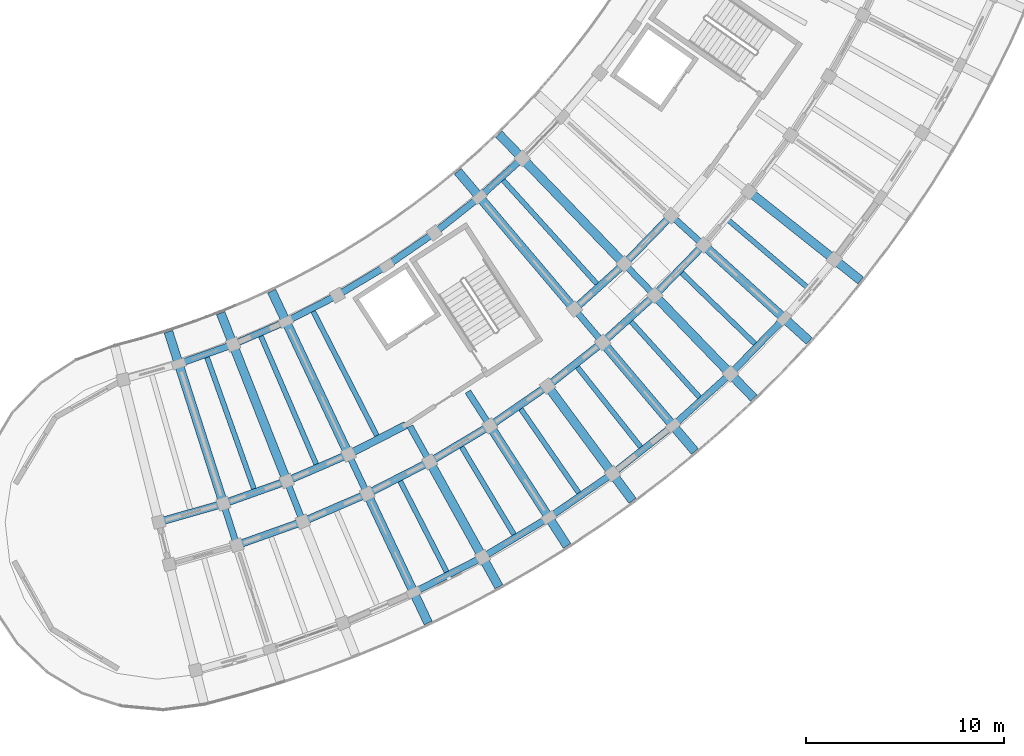
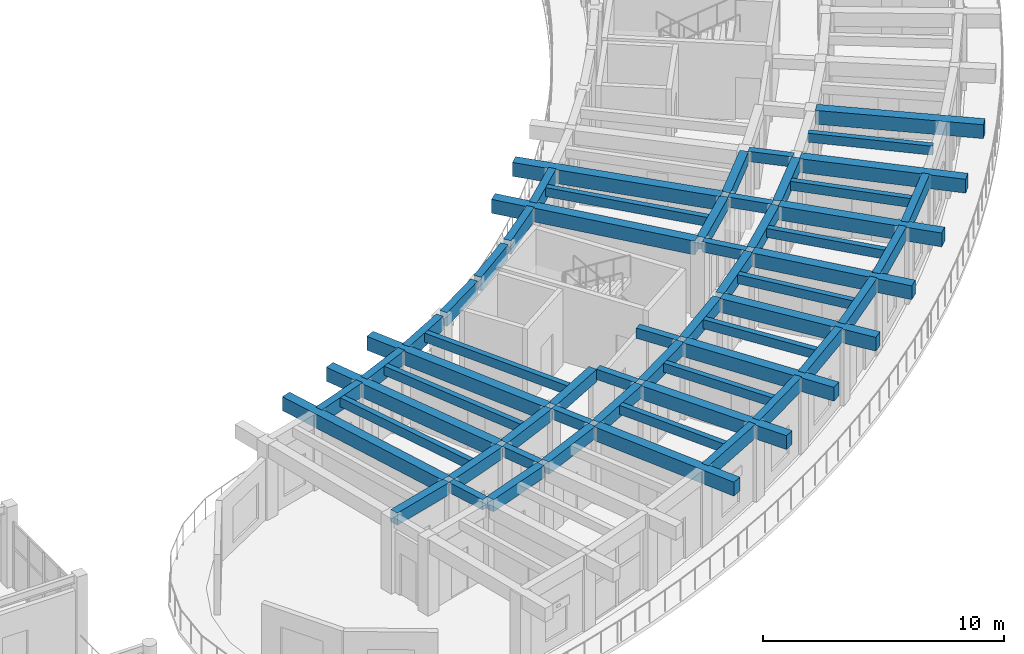
# One storey, part 56 of 128: 59 beams.
"""IFC4 building model written with IfcOpenShell, lengths in metres."""

from ifc_helpers import new_model, si_unit, direction, frame, origin, origin_2d, place, context, subcontext, project, spatial, rectangle, extrude, material, material_profile, profile_set, type_object, element, save


model = new_model("IFC4")

# Units and contexts
model_context = context("Model", 3, precision=1e-05, world=origin(), true_north=direction((0.0, 1.0)))
body_context = subcontext(model_context, "Body", "Model", "MODEL_VIEW")
ifc_project = project(units=[si_unit("LENGTHUNIT", "METRE"), si_unit("AREAUNIT", "SQUARE_METRE"), si_unit("VOLUMEUNIT", "CUBIC_METRE"), si_unit("PLANEANGLEUNIT", "RADIAN"), si_unit("MASSUNIT", "GRAM", prefix="KILO")], contexts=[model_context])

# Site, building, storey
site_placement = place(None, origin())
site = spatial("IfcSite", under=ifc_project, at=site_placement, CompositionType="ELEMENT")
building_placement = place(site_placement, origin())
building = spatial("IfcBuilding", under=site, at=building_placement, Name="Tanwirah Colonnade Gardens", CompositionType="ELEMENT")
storey_placement = place(building_placement, frame((0.0, 0.0, 4.760009765625)))
storey = spatial("IfcBuildingStorey", under=building, at=storey_placement, Name="L01", CompositionType="ELEMENT", Elevation=4.760009765625)

# Beams
ifc_material_1 = material(Name="Precast concrete C40/50", Category="concrete")
ifc_material_profile_1 = material_profile(ifc_material_1, rectangle(XDim=0.320068359375, YDim=0.52001953125, at=origin_2d()), Name="PC-BM 320x520")
ifc_profile_set_1 = profile_set([ifc_material_profile_1], Name="Precast concrete C40/50")
beam_type_1 = type_object("IfcBeamType", Name="BM-PC320", PredefinedType="BEAM", material=ifc_profile_set_1)
beam_1_placement = place(storey_placement, frame((136.85302734375, 14.975341796875, 3.56494140625), z_axis=(0.304794376797, -0.952418179096, 0.0), x_axis=(0.952418179096, 0.304794376797, 0.0)))
element("IfcBeam", 1, at=beam_1_placement, inside=storey, type_object=beam_type_1, Name="Block D L01 Corridor Tie Beam 1", PredefinedType="BEAM", context=body_context, shape_type="SweptSolid", body=[
    extrude(rectangle(XDim=0.320068359375, YDim=0.52001953125, at=origin_2d()), origin(), (0.0, 0.0, 1.0), 1.89990234375),
])
beam_2_placement = place(storey_placement, frame((140.05810546875, 16.1181640625, 3.56494140625), z_axis=(0.366511033969, -0.930413704746, 0.0), x_axis=(0.930413704746, 0.366511033969, 0.0)))
element("IfcBeam", 2, at=beam_2_placement, inside=storey, type_object=beam_type_1, Name="Block D L01 Corridor Tie Beam 2", PredefinedType="BEAM", context=body_context, shape_type="SweptSolid", body=[
    extrude(rectangle(XDim=0.320068359375, YDim=0.52001953125, at=origin_2d()), origin(), (0.0, 0.0, 1.0), 1.899658203125),
])
beam_3_placement = place(storey_placement, frame((143.181640625, 17.46826171875, 3.56494140625), z_axis=(0.426483812015, -0.904495195172, 0.0), x_axis=(0.904495195172, 0.426483812015, 0.0)))
element("IfcBeam", 3, at=beam_3_placement, inside=storey, type_object=beam_type_1, Name="Block D L01 Corridor Tie Beam 3", PredefinedType="BEAM", context=body_context, shape_type="SweptSolid", body=[
    extrude(rectangle(XDim=0.320068359375, YDim=0.52001953125, at=origin_2d()), origin(), (0.0, 0.0, 1.0), 1.89990234375),
])
beam_4_placement = place(storey_placement, frame((146.210205078125, 19.019775390625, 3.56494140625), z_axis=(0.484791759649, -0.874629607192, 0.0), x_axis=(0.874629607192, 0.484791759649, 0.0)))
element("IfcBeam", 4, at=beam_4_placement, inside=storey, type_object=beam_type_1, Name="Block D L01 Corridor Tie Beam 4", PredefinedType="BEAM", context=body_context, shape_type="SweptSolid", body=[
    extrude(rectangle(XDim=0.320068359375, YDim=0.52001953125, at=origin_2d()), origin(), (0.0, 0.0, 1.0), 1.900146484375),
])
beam_5_placement = place(storey_placement, frame((149.130615234375, 20.765869140625, 3.56494140625), z_axis=(0.540984881989, -0.841032316537, 0.0), x_axis=(0.841032316537, 0.540984881989, 0.0)))
element("IfcBeam", 5, at=beam_5_placement, inside=storey, type_object=beam_type_1, Name="Block D L01 Corridor Tie Beam 5", PredefinedType="BEAM", context=body_context, shape_type="SweptSolid", body=[
    extrude(rectangle(XDim=0.320068359375, YDim=0.52001953125, at=origin_2d()), origin(), (0.0, 0.0, 1.0), 1.89990234375),
])
beam_6_placement = place(storey_placement, frame((154.598388671875, 24.81201171875, 3.56494140625), z_axis=(0.646155325581, -0.763205932382, 0.0), x_axis=(0.763205932382, 0.646155325581, 0.0)))
element("IfcBeam", 6, at=beam_6_placement, inside=storey, type_object=beam_type_1, Name="Block D L01 Corridor Tie Beam 7", PredefinedType="BEAM", context=body_context, shape_type="SweptSolid", body=[
    extrude(rectangle(XDim=0.320068359375, YDim=0.52001953125, at=origin_2d()), origin(), (0.0, 0.0, 1.0), 1.900146484375),
])
beam_7_placement = place(storey_placement, frame((157.122314453125, 27.09423828125, 3.56494140625), z_axis=(0.694663306685, -0.719335033448, 0.0), x_axis=(0.719335033448, 0.694663306685, 0.0)))
element("IfcBeam", 7, at=beam_7_placement, inside=storey, type_object=beam_type_1, Name="Block D L01 Corridor Tie Beam 8", PredefinedType="BEAM", context=body_context, shape_type="SweptSolid", body=[
    extrude(rectangle(XDim=0.320068359375, YDim=0.52001953125, at=origin_2d()), origin(), (0.0, 0.0, 1.0), 1.89990234375),
])
beam_8_placement = place(storey_placement, frame((159.491455078125, 29.536865234375, 3.56494140625), z_axis=(0.740219127015, -0.672365707038, 0.0), x_axis=(0.672365707038, 0.740219127015, 0.0)))
element("IfcBeam", 8, at=beam_8_placement, inside=storey, type_object=beam_type_1, Name="Block D L01 Corridor Tie Beam 9", PredefinedType="BEAM", context=body_context, shape_type="SweptSolid", body=[
    extrude(rectangle(XDim=0.320068359375, YDim=0.52001953125, at=origin_2d()), origin(), (0.0, 0.0, 1.0), 1.899658203125),
])
ifc_material_profile_2 = material_profile(ifc_material_1, rectangle(XDim=0.3798828125, YDim=0.6201171875, at=origin_2d()), Name="PC-BM 380x620")
ifc_profile_set_2 = profile_set([ifc_material_profile_2], Name="Precast concrete C40/50")
beam_type_2 = type_object("IfcBeamType", Name="BM-PC380", PredefinedType="BEAM", material=ifc_profile_set_2)
beam_9_placement = place(storey_placement, frame((133.68798828125, 14.231201171875, 3.514892578125), z_axis=(0.961865763464, 0.273521942585, 0.0), x_axis=(-0.273521942585, 0.961865763464, 0.0)))
element("IfcBeam", 9, at=beam_9_placement, inside=storey, type_object=beam_type_2, Name="Block D L01 Circumferential Beam 0-R1", PredefinedType="BEAM", context=body_context, shape_type="SweptSolid", body=[
    extrude(rectangle(XDim=0.3798828125, YDim=0.6201171875, at=origin_2d()), origin(), (0.0, 0.0, 1.0), 3.0927734375),
])
beam_10_placement = place(storey_placement, frame((136.948486328125, 15.168701171875, 3.514892578125), z_axis=(0.941911444877, 0.335861325564, 0.0), x_axis=(-0.335861325564, 0.941911444877, 0.0)))
element("IfcBeam", 10, at=beam_10_placement, inside=storey, type_object=beam_type_2, Name="Block D L01 Circumferential Beam 1-R1", PredefinedType="BEAM", context=body_context, shape_type="SweptSolid", body=[
    extrude(rectangle(XDim=0.3798828125, YDim=0.6201171875, at=origin_2d()), origin(), (0.0, 0.0, 1.0), 3.093017578125),
])
beam_11_placement = place(storey_placement, frame((137.619140625, 13.073486328125, 3.514892578125), z_axis=(0.941917534978, 0.335844245597, 0.0), x_axis=(-0.335844245597, 0.941917534978, 0.0)))
element("IfcBeam", 11, at=beam_11_placement, inside=storey, type_object=beam_type_2, Name="Block D L01 Circumferential Beam 1-R2", PredefinedType="BEAM", context=body_context, shape_type="SweptSolid", body=[
    extrude(rectangle(XDim=0.3798828125, YDim=0.6201171875, at=origin_2d()), origin(), (0.0, 0.0, 1.0), 3.237060546875),
])
beam_12_placement = place(storey_placement, frame((140.140869140625, 16.3173828125, 3.514892578125), z_axis=(0.917936292782, 0.396727819032, 0.0), x_axis=(-0.396727819032, 0.917936292782, 0.0)))
element("IfcBeam", 12, at=beam_12_placement, inside=storey, type_object=beam_type_2, Name="Block D L01 Circumferential Beam 2-R1", PredefinedType="BEAM", context=body_context, shape_type="SweptSolid", body=[
    extrude(rectangle(XDim=0.3798828125, YDim=0.6201171875, at=origin_2d()), origin(), (0.0, 0.0, 1.0), 3.093017578125),
])
beam_13_placement = place(storey_placement, frame((140.947021484375, 14.2705078125, 3.514892578125), z_axis=(0.917943156181, 0.396711938338, 0.0), x_axis=(-0.396711938338, 0.917943156181, 0.0)))
element("IfcBeam", 13, at=beam_13_placement, inside=storey, type_object=beam_type_2, Name="Block D L01 Circumferential Beam 2-R2", PredefinedType="BEAM", context=body_context, shape_type="SweptSolid", body=[
    extrude(rectangle(XDim=0.3798828125, YDim=0.6201171875, at=origin_2d()), origin(), (0.0, 0.0, 1.0), 3.237060546875),
])
beam_14_placement = place(storey_placement, frame((143.2509765625, 17.67236328125, 3.514892578125), z_axis=(0.890027741769, 0.45590637074, 0.0), x_axis=(-0.45590637074, 0.890027741769, 0.0)))
element("IfcBeam", 14, at=beam_14_placement, inside=storey, type_object=beam_type_2, Name="Block D L01 Circumferential Beam 3-R1", PredefinedType="BEAM", context=body_context, shape_type="SweptSolid", body=[
    extrude(rectangle(XDim=0.3798828125, YDim=0.6201171875, at=origin_2d()), origin(), (0.0, 0.0, 1.0), 3.093017578125),
])
beam_15_placement = place(storey_placement, frame((144.189453125, 15.6826171875, 3.514892578125), z_axis=(0.890025451153, 0.45591084249, 0.0), x_axis=(-0.45591084249, 0.890025451153, 0.0)))
element("IfcBeam", 15, at=beam_15_placement, inside=storey, type_object=beam_type_2, Name="Block D L01 Circumferential Beam 3-R2", PredefinedType="BEAM", context=body_context, shape_type="SweptSolid", body=[
    extrude(rectangle(XDim=0.3798828125, YDim=0.6201171875, at=origin_2d()), origin(), (0.0, 0.0, 1.0), 3.237060546875),
])
beam_16_placement = place(storey_placement, frame((147.332763671875, 17.3037109375, 3.514892578125), z_axis=(0.858270604513, 0.513197398111, 0.0), x_axis=(-0.513197398111, 0.858270604513, 0.0)))
element("IfcBeam", 16, at=beam_16_placement, inside=storey, type_object=beam_type_2, Name="Block D L01 Circumferential Beam 4-R2", PredefinedType="BEAM", context=body_context, shape_type="SweptSolid", body=[
    extrude(rectangle(XDim=0.3798828125, YDim=0.6201171875, at=origin_2d()), origin(), (0.0, 0.0, 1.0), 3.23681640625),
])
beam_17_placement = place(storey_placement, frame((150.363037109375, 19.126953125, 3.514892578125), z_axis=(0.822889344221, 0.568201660651, 0.0), x_axis=(-0.568201660651, 0.822889344221, 0.0)))
element("IfcBeam", 17, at=beam_17_placement, inside=storey, type_object=beam_type_2, Name="Block D L01 Circumferential Beam 5-R2", PredefinedType="BEAM", context=body_context, shape_type="SweptSolid", body=[
    extrude(rectangle(XDim=0.3798828125, YDim=0.6201171875, at=origin_2d()), origin(), (0.0, 0.0, 1.0), 3.237060546875),
])
beam_18_placement = place(storey_placement, frame((153.267822265625, 21.144775390625, 3.514892578125), z_axis=(0.783993819374, 0.620768629349, 0.0), x_axis=(-0.620768629349, 0.783993819374, 0.0)))
element("IfcBeam", 18, at=beam_18_placement, inside=storey, type_object=beam_type_2, Name="Block D L01 Circumferential Beam 6-R2", PredefinedType="BEAM", context=body_context, shape_type="SweptSolid", body=[
    extrude(rectangle(XDim=0.3798828125, YDim=0.6201171875, at=origin_2d()), origin(), (0.0, 0.0, 1.0), 3.23681640625),
])
beam_19_placement = place(storey_placement, frame((154.61279296875, 25.027099609375, 3.514892578125), z_axis=(0.741698455559, 0.670733479873, 0.0), x_axis=(-0.670733479873, 0.741698455559, 0.0)))
element("IfcBeam", 19, at=beam_19_placement, inside=storey, type_object=beam_type_2, Name="Block D L01 Circumferential Beam 7-R1", PredefinedType="BEAM", context=body_context, shape_type="SweptSolid", body=[
    extrude(rectangle(XDim=0.3798828125, YDim=0.6201171875, at=origin_2d()), origin(), (0.0, 0.0, 1.0), 3.0927734375),
])
beam_20_placement = place(storey_placement, frame((156.0341796875, 23.347900390625, 3.514892578125), z_axis=(0.741701929733, 0.670729638104, 0.0), x_axis=(-0.670729638104, 0.741701929733, 0.0)))
element("IfcBeam", 20, at=beam_20_placement, inside=storey, type_object=beam_type_2, Name="Block D L01 Circumferential Beam 7-R2", PredefinedType="BEAM", context=body_context, shape_type="SweptSolid", body=[
    extrude(rectangle(XDim=0.3798828125, YDim=0.6201171875, at=origin_2d()), origin(), (0.0, 0.0, 1.0), 3.237060546875),
])
beam_21_placement = place(storey_placement, frame((157.12255859375, 27.309814453125, 3.514892578125), z_axis=(0.696209937932, 0.71783822852, 0.0), x_axis=(-0.71783822852, 0.696209937932, 0.0)))
element("IfcBeam", 21, at=beam_21_placement, inside=storey, type_object=beam_type_2, Name="Block D L01 Circumferential Beam 8-R1", PredefinedType="BEAM", context=body_context, shape_type="SweptSolid", body=[
    extrude(rectangle(XDim=0.3798828125, YDim=0.6201171875, at=origin_2d()), origin(), (0.0, 0.0, 1.0), 3.093017578125),
])
beam_22_placement = place(storey_placement, frame((158.650634765625, 25.727294921875, 3.514892578125), z_axis=(0.696238887656, 0.717810149911, 0.0), x_axis=(-0.717810149911, 0.696238887656, 0.0)))
element("IfcBeam", 22, at=beam_22_placement, inside=storey, type_object=beam_type_2, Name="Block D L01 Circumferential Beam 8-R2", PredefinedType="BEAM", context=body_context, shape_type="SweptSolid", body=[
    extrude(rectangle(XDim=0.3798828125, YDim=0.6201171875, at=origin_2d()), origin(), (0.0, 0.0, 1.0), 3.23681640625),
])
ifc_material_2 = material(Name="Precast concrete C45/55", Category="concrete")
ifc_material_profile_3 = material_profile(ifc_material_2, rectangle(XDim=0.449951171875, YDim=0.699951171875, at=origin_2d()), Name="PC-BM 450x700")
ifc_profile_set_3 = profile_set([ifc_material_profile_3], Name="Precast concrete C45/55")
beam_type_3 = type_object("IfcBeamType", Name="BM-PC450", PredefinedType="BEAM", material=ifc_profile_set_3)
for number, where, z_axis, x_axis, name in (
    (23, (136.761474609375, 15.26123046875, 3.47509765625), (-0.304862826508, 0.952396270999, 0.0), (-0.952396270999, -0.304862826508, 0.0), "Block D L01 Inner Radial Precast Girder 1"),
    (24, (139.947998046875, 16.3974609375, 3.47509765625), (-0.36648945479, 0.930422204984, 0.0), (-0.930422204984, -0.36648945479, 0.0), "Block D L01 Inner Radial Precast Girder 2"),
    (25, (143.0537109375, 17.73974609375, 3.47509765625), (-0.426582468098, 0.904448670689, 0.0), (-0.904448670689, -0.426582468098, 0.0), "Block D L01 Inner Radial Precast Girder 3"),
):
    element("IfcBeam", number, at=place(storey_placement, frame(where, z_axis=z_axis, x_axis=x_axis)), inside=storey, type_object=beam_type_3, Name=name, PredefinedType="BEAM", context=body_context, shape_type="SweptSolid", body=[
        extrude(rectangle(XDim=0.449951171875, YDim=0.699951171875, at=origin_2d()), origin(), (0.0, 0.0, 1.0), 8.949951171875),
    ])
beam_23_placement = place(storey_placement, frame((144.1201171875, 15.478515625, 3.47509765625), z_axis=(0.426567365945, -0.904455793453, 0.0), x_axis=(0.904455793453, 0.426567365945, 0.0)))
element("IfcBeam", 26, at=beam_23_placement, inside=storey, type_object=beam_type_3, Name="Block D L01 Outer Radial Precast Girder 3", PredefinedType="BEAM", context=body_context, shape_type="SweptSolid", body=[
    extrude(rectangle(XDim=0.449951171875, YDim=0.699951171875, at=origin_2d()), origin(), (0.0, 0.0, 1.0), 7.050048828125),
])
beam_24_placement = place(storey_placement, frame((147.276611328125, 17.095703125, 3.47509765625), z_axis=(0.484804753745, -0.874622404667, 0.0), x_axis=(0.874622404667, 0.484804753745, 0.0)))
element("IfcBeam", 27, at=beam_24_placement, inside=storey, type_object=beam_type_3, Name="Block D L01 Outer Radial Precast Girder 4", PredefinedType="BEAM", context=body_context, shape_type="SweptSolid", body=[
    extrude(rectangle(XDim=0.449951171875, YDim=0.699951171875, at=origin_2d()), origin(), (0.0, 0.0, 1.0), 7.05029296875),
])
for number, where, z_axis, x_axis, name in (
    (28, (150.32080078125, 18.915771484375, 3.47509765625), (0.540976349149, -0.841037805132, 0.0), (0.841037805132, 0.540976349149, 0.0), "Block D L01 Outer Radial Precast Girder 5"),
    (29, (153.239501953125, 20.930908203125, 3.47509765625), (0.594806754627, -0.803868723518, 0.0), (0.803868723518, 0.594806754627, 0.0), "Block D L01 Outer Radial Precast Girder 6"),
):
    element("IfcBeam", number, at=place(storey_placement, frame(where, z_axis=z_axis, x_axis=x_axis)), inside=storey, type_object=beam_type_3, Name=name, PredefinedType="BEAM", context=body_context, shape_type="SweptSolid", body=[
        extrude(rectangle(XDim=0.449951171875, YDim=0.699951171875, at=origin_2d()), origin(), (0.0, 0.0, 1.0), 7.050048828125),
    ])
beam_25_placement = place(storey_placement, frame((154.404541015625, 25.040771484375, 3.47509765625), z_axis=(-0.64611097415, 0.763243479554, 0.0), x_axis=(-0.763243479554, -0.64611097415, 0.0)))
element("IfcBeam", 30, at=beam_25_placement, inside=storey, type_object=beam_type_3, Name="Block D L01 Inner Radial Precast Girder 7", PredefinedType="BEAM", context=body_context, shape_type="SweptSolid", body=[
    extrude(rectangle(XDim=0.449951171875, YDim=0.699951171875, at=origin_2d()), origin(), (0.0, 0.0, 1.0), 8.949951171875),
])
beam_26_placement = place(storey_placement, frame((156.02001953125, 23.1328125, 3.47509765625), z_axis=(0.646119193339, -0.763236521663, 0.0), x_axis=(0.763236521663, 0.646119193339, 0.0)))
element("IfcBeam", 31, at=beam_26_placement, inside=storey, type_object=beam_type_3, Name="Block D L01 Outer Radial Precast Girder 7", PredefinedType="BEAM", context=body_context, shape_type="SweptSolid", body=[
    extrude(rectangle(XDim=0.449951171875, YDim=0.699951171875, at=origin_2d()), origin(), (0.0, 0.0, 1.0), 7.050048828125),
])
beam_27_placement = place(storey_placement, frame((156.913818359375, 27.31005859375, 3.47509765625), z_axis=(-0.694655848402, 0.719342235852, 0.0), x_axis=(-0.719342235852, -0.694655848402, 0.0)))
element("IfcBeam", 32, at=beam_27_placement, inside=storey, type_object=beam_type_3, Name="Block D L01 Inner Radial Precast Girder 8", PredefinedType="BEAM", context=body_context, shape_type="SweptSolid", body=[
    extrude(rectangle(XDim=0.449951171875, YDim=0.699951171875, at=origin_2d()), origin(), (0.0, 0.0, 1.0), 8.9501953125),
])
beam_28_placement = place(storey_placement, frame((158.650390625, 25.51171875, 3.47509765625), z_axis=(0.69467114255, -0.719327466254, 0.0), x_axis=(0.719327466254, 0.69467114255, 0.0)))
element("IfcBeam", 33, at=beam_28_placement, inside=storey, type_object=beam_type_3, Name="Block D L01 Outer Radial Precast Girder 8", PredefinedType="BEAM", context=body_context, shape_type="SweptSolid", body=[
    extrude(rectangle(XDim=0.449951171875, YDim=0.699951171875, at=origin_2d()), origin(), (0.0, 0.0, 1.0), 7.050048828125),
])
for number, where, z_axis, x_axis, name in (
    (34, (161.119873046875, 28.0576171875, 3.47509765625), (0.740229899169, -0.672353847596, 0.0), (0.672353847596, 0.740229899169, 0.0), "Block D L01 Outer Radial Precast Girder 9"),
    (35, (163.41748046875, 30.759765625, 3.47509765625), (0.782609106384, -0.622513442911, 0.0), (0.622513442911, 0.782609106384, 0.0), "Block D L01 Outer Radial Precast Girder 10"),
):
    element("IfcBeam", number, at=place(storey_placement, frame(where, z_axis=z_axis, x_axis=x_axis)), inside=storey, type_object=beam_type_3, Name=name, PredefinedType="BEAM", context=body_context, shape_type="SweptSolid", body=[
        extrude(rectangle(XDim=0.449951171875, YDim=0.699951171875, at=origin_2d()), origin(), (0.0, 0.0, 1.0), 7.0498046875),
    ])
ifc_material_profile_4 = material_profile(ifc_material_1, rectangle(XDim=0.2548828125, YDim=0.455078125, at=origin_2d()), Name="PC-JST 255x455")
ifc_profile_set_4 = profile_set([ifc_material_profile_4], Name="Precast concrete C40/50")
beam_type_4 = type_object("IfcBeamType", Name="JST-PC240", PredefinedType="JOIST", material=ifc_profile_set_4)
beam_29_placement = place(storey_placement, frame((135.969482421875, 22.51904296875, 3.597412109375), z_axis=(0.335861148107, -0.941911508154, 0.0), x_axis=(0.941911508154, 0.335861148107, 0.0)))
element("IfcBeam", 36, at=beam_29_placement, inside=storey, type_object=beam_type_4, Name="Block D L01 Inner Precast Floor Joist 1", PredefinedType="JOIST", context=body_context, shape_type="SweptSolid", body=[
    extrude(rectangle(XDim=0.2548828125, YDim=0.455078125, at=origin_2d()), origin(), (0.0, 0.0, 1.0), 7.16015625),
])
beam_30_placement = place(storey_placement, frame((138.68310546875, 23.587890625, 3.597412109375), z_axis=(0.396736454079, -0.917932560706, 0.0), x_axis=(0.917932560706, 0.396736454079, 0.0)))
element("IfcBeam", 37, at=beam_30_placement, inside=storey, type_object=beam_type_4, Name="Block D L01 Inner Precast Floor Joist 2", PredefinedType="JOIST", context=body_context, shape_type="SweptSolid", body=[
    extrude(rectangle(XDim=0.2548828125, YDim=0.455078125, at=origin_2d()), origin(), (0.0, 0.0, 1.0), 7.159912109375),
])
beam_31_placement = place(storey_placement, frame((145.697998046875, 16.287841796875, 3.597412109375), z_axis=(0.455936851617, -0.890012127635, 0.0), x_axis=(0.890012127635, 0.455936851617, 0.0)))
element("IfcBeam", 38, at=beam_31_placement, inside=storey, type_object=beam_type_4, Name="Block D L01 Precast Floor Joist 3", PredefinedType="JOIST", context=body_context, shape_type="SweptSolid", body=[
    extrude(rectangle(XDim=0.2548828125, YDim=0.455078125, at=origin_2d()), origin(), (0.0, 0.0, 1.0), 5.260009765625),
])
beam_32_placement = place(storey_placement, frame((141.321044921875, 24.83203125, 3.597412109375), z_axis=(0.455921327553, -0.890020080157, 0.0), x_axis=(0.890020080157, 0.455921327553, 0.0)))
element("IfcBeam", 39, at=beam_32_placement, inside=storey, type_object=beam_type_4, Name="Block D L01 Inner Precast Floor Joist 3", PredefinedType="JOIST", context=body_context, shape_type="SweptSolid", body=[
    extrude(rectangle(XDim=0.2548828125, YDim=0.455078125, at=origin_2d()), origin(), (0.0, 0.0, 1.0), 7.159912109375),
])
for number, where, z_axis, x_axis, name in (
    (40, (148.79833984375, 18.006591796875, 3.597412109375), (0.513157303227, -0.858294577721, 0.0), (0.858294577721, 0.513157303227, 0.0), "Block D L01 Precast Floor Joist 4"),
    (41, (151.779541015625, 19.924072265625, 3.597412109375), (0.56820792868, -0.822885016138, 0.0), (0.822885016138, 0.56820792868, 0.0), "Block D L01 Precast Floor Joist 5"),
    (42, (154.629150390625, 22.03271484375, 3.597412109375), (0.620787347885, -0.783978997617, 0.0), (0.783978997617, 0.620787347885, 0.0), "Block D L01 Precast Floor Joist 6"),
    (43, (157.33447265625, 24.322998046875, 3.597412109375), (0.670780841255, -0.741655622918, 0.0), (0.741655622918, 0.670780841255, 0.0), "Block D L01 Precast Floor Joist 7"),
):
    element("IfcBeam", number, at=place(storey_placement, frame(where, z_axis=z_axis, x_axis=x_axis)), inside=storey, type_object=beam_type_4, Name=name, PredefinedType="JOIST", context=body_context, shape_type="SweptSolid", body=[
        extrude(rectangle(XDim=0.2548828125, YDim=0.455078125, at=origin_2d()), origin(), (0.0, 0.0, 1.0), 5.260009765625),
    ])
beam_33_placement = place(storey_placement, frame((150.895263671875, 31.443115234375, 3.597412109375), z_axis=(0.670773136608, -0.741662591214, 0.0), x_axis=(0.741662591214, 0.670773136608, 0.0)))
element("IfcBeam", 44, at=beam_33_placement, inside=storey, type_object=beam_type_4, Name="Block D L01 Inner Precast Floor Joist 7", PredefinedType="JOIST", context=body_context, shape_type="SweptSolid", body=[
    extrude(rectangle(XDim=0.2548828125, YDim=0.455078125, at=origin_2d()), origin(), (0.0, 0.0, 1.0), 7.159912109375),
])
for number, where, z_axis, x_axis, name in (
    (45, (159.884521484375, 26.785400390625, 3.597412109375), (0.717816036263, -0.696232818878, 0.0), (0.696232818878, 0.717816036263, 0.0), "Block D L01 Precast Floor Joist 8"),
    (46, (162.267822265625, 29.409423828125, 3.597412109375), (0.761803021124, -0.647808734895, 0.0), (0.647808734895, 0.761803021124, 0.0), "Block D L01 Precast Floor Joist 9"),
):
    element("IfcBeam", number, at=place(storey_placement, frame(where, z_axis=z_axis, x_axis=x_axis)), inside=storey, type_object=beam_type_4, Name=name, PredefinedType="JOIST", context=body_context, shape_type="SweptSolid", body=[
        extrude(rectangle(XDim=0.2548828125, YDim=0.455078125, at=origin_2d()), origin(), (0.0, 0.0, 1.0), 5.260009765625),
    ])
ifc_material_profile_5 = material_profile(ifc_material_2, rectangle(XDim=0.340087890625, YDim=0.699951171875, at=origin_2d()), Name="PC-SP 340x700")
ifc_profile_set_5 = profile_set([ifc_material_profile_5], Name="Precast concrete C45/55")
beam_type_5 = type_object("IfcBeamType", Name="SP-PC340", PredefinedType="SPANDREL", material=ifc_profile_set_5)
for number, where, z_axis, x_axis, name in (
    (47, (134.692626953125, 22.21630859375, 3.47509765625), (0.941898499992, 0.335897626835, 0.0), (-0.335897626835, 0.941898499992, 0.0), "Block D L01 Circumferential Beam 1-R0"),
    (48, (137.4287109375, 23.202392578125, 3.47509765625), (0.917901260915, 0.396808864833, 0.0), (-0.396808864833, 0.917901260915, 0.0), "Block D L01 Circumferential Beam 2-R0"),
    (49, (140.094482421875, 24.365478515625, 3.47509765625), (0.890042438658, 0.455877678097, 0.0), (-0.455877678097, 0.890042438658, 0.0), "Block D L01 Circumferential Beam 3-R0"),
):
    element("IfcBeam", number, at=place(storey_placement, frame(where, z_axis=z_axis, x_axis=x_axis)), inside=storey, type_object=beam_type_5, Name=name, PredefinedType="SPANDREL", context=body_context, shape_type="SweptSolid", body=[
        extrude(rectangle(XDim=0.340087890625, YDim=0.699951171875, at=origin_2d()), origin(), (0.0, 0.0, 1.0), 2.608642578125),
    ])
beam_34_placement = place(storey_placement, frame((146.53564453125, 10.7080078125, 3.47509765625), z_axis=(0.890013134589, 0.455934885985, 0.0), x_axis=(-0.455934885985, 0.890013134589, 0.0)))
element("IfcBeam", 50, at=beam_34_placement, inside=storey, type_object=beam_type_5, Name="Block D L01 Circumferential Beam 3-R3", PredefinedType="SPANDREL", context=body_context, shape_type="SweptSolid", body=[
    extrude(rectangle(XDim=0.340087890625, YDim=0.699951171875, at=origin_2d()), origin(), (0.0, 0.0, 1.0), 3.5966796875),
])
beam_35_placement = place(storey_placement, frame((142.678466796875, 25.7001953125, 3.47509765625), z_axis=(0.858301131151, 0.513146341958, 0.0), x_axis=(-0.513146341958, 0.858301131151, 0.0)))
element("IfcBeam", 51, at=beam_35_placement, inside=storey, type_object=beam_type_5, Name="Block D L01 Circumferential Beam 4-R0", PredefinedType="SPANDREL", context=body_context, shape_type="SweptSolid", body=[
    extrude(rectangle(XDim=0.340087890625, YDim=0.699951171875, at=origin_2d()), origin(), (0.0, 0.0, 1.0), 2.608642578125),
])
beam_36_placement = place(storey_placement, frame((149.999267578125, 12.493408203125, 3.47509765625), z_axis=(0.858282522832, 0.513177465407, 0.0), x_axis=(-0.513177465407, 0.858282522832, 0.0)))
element("IfcBeam", 52, at=beam_36_placement, inside=storey, type_object=beam_type_5, Name="Block D L01 Circumferential Beam 4-R3", PredefinedType="SPANDREL", context=body_context, shape_type="SweptSolid", body=[
    extrude(rectangle(XDim=0.340087890625, YDim=0.699951171875, at=origin_2d()), origin(), (0.0, 0.0, 1.0), 3.5966796875),
])
beam_37_placement = place(storey_placement, frame((145.169677734375, 27.200927734375, 3.47509765625), z_axis=(0.822868771031, 0.568231454305, 0.0), x_axis=(-0.568231454305, 0.822868771031, 0.0)))
element("IfcBeam", 53, at=beam_37_placement, inside=storey, type_object=beam_type_5, Name="Block D L01 Circumferential Beam 5-R0", PredefinedType="SPANDREL", context=body_context, shape_type="SweptSolid", body=[
    extrude(rectangle(XDim=0.340087890625, YDim=0.699951171875, at=origin_2d()), origin(), (0.0, 0.0, 1.0), 2.60888671875),
])
beam_38_placement = place(storey_placement, frame((153.33837890625, 14.50146484375, 3.47509765625), z_axis=(0.822907478943, 0.568175396423, 0.0), x_axis=(-0.568175396423, 0.822907478943, 0.0)))
element("IfcBeam", 54, at=beam_38_placement, inside=storey, type_object=beam_type_5, Name="Block D L01 Circumferential Beam 5-R3", PredefinedType="SPANDREL", context=body_context, shape_type="SweptSolid", body=[
    extrude(rectangle(XDim=0.340087890625, YDim=0.699951171875, at=origin_2d()), origin(), (0.0, 0.0, 1.0), 3.596923828125),
])
beam_39_placement = place(storey_placement, frame((147.557373046875, 28.861572265625, 3.47509765625), z_axis=(0.783945239852, 0.62082997746, 0.0), x_axis=(-0.62082997746, 0.783945239852, 0.0)))
element("IfcBeam", 55, at=beam_39_placement, inside=storey, type_object=beam_type_5, Name="Block D L01 Circumferential Beam 6-R0", PredefinedType="SPANDREL", context=body_context, shape_type="SweptSolid", body=[
    extrude(rectangle(XDim=0.340087890625, YDim=0.699951171875, at=origin_2d()), origin(), (0.0, 0.0, 1.0), 2.60888671875),
])
beam_40_placement = place(storey_placement, frame((156.539306640625, 16.723388671875, 3.47509765625), z_axis=(0.783971495357, 0.620796822211, 0.0), x_axis=(-0.620796822211, 0.783971495357, 0.0)))
element("IfcBeam", 56, at=beam_40_placement, inside=storey, type_object=beam_type_5, Name="Block D L01 Circumferential Beam 6-R3", PredefinedType="SPANDREL", context=body_context, shape_type="SweptSolid", body=[
    extrude(rectangle(XDim=0.340087890625, YDim=0.699951171875, at=origin_2d()), origin(), (0.0, 0.0, 1.0), 3.596923828125),
])
beam_41_placement = place(storey_placement, frame((149.83154296875, 30.675048828125, 3.47509765625), z_axis=(0.741686528432, 0.670746668678, 0.0), x_axis=(-0.670746668678, 0.741686528432, 0.0)))
element("IfcBeam", 57, at=beam_41_placement, inside=storey, type_object=beam_type_5, Name="Block D L01 Circumferential Beam 7-R0", PredefinedType="SPANDREL", context=body_context, shape_type="SweptSolid", body=[
    extrude(rectangle(XDim=0.340087890625, YDim=0.699951171875, at=origin_2d()), origin(), (0.0, 0.0, 1.0), 2.608642578125),
])
beam_42_placement = place(storey_placement, frame((159.587890625, 19.150146484375, 3.47509765625), z_axis=(0.741682092868, 0.670751573325, 0.0), x_axis=(-0.670751573325, 0.741682092868, 0.0)))
element("IfcBeam", 58, at=beam_42_placement, inside=storey, type_object=beam_type_5, Name="Block D L01 Circumferential Beam 7-R3", PredefinedType="SPANDREL", context=body_context, shape_type="SweptSolid", body=[
    extrude(rectangle(XDim=0.340087890625, YDim=0.699951171875, at=origin_2d()), origin(), (0.0, 0.0, 1.0), 3.596923828125),
])
beam_43_placement = place(storey_placement, frame((162.471435546875, 21.77099609375, 3.47509765625), z_axis=(0.696231699401, 0.717817122079, 0.0), x_axis=(-0.717817122079, 0.696231699401, 0.0)))
element("IfcBeam", 59, at=beam_43_placement, inside=storey, type_object=beam_type_5, Name="Block D L01 Circumferential Beam 8-R3", PredefinedType="SPANDREL", context=body_context, shape_type="SweptSolid", body=[
    extrude(rectangle(XDim=0.340087890625, YDim=0.699951171875, at=origin_2d()), origin(), (0.0, 0.0, 1.0), 3.5966796875),
])

save(model, "model.ifc")
